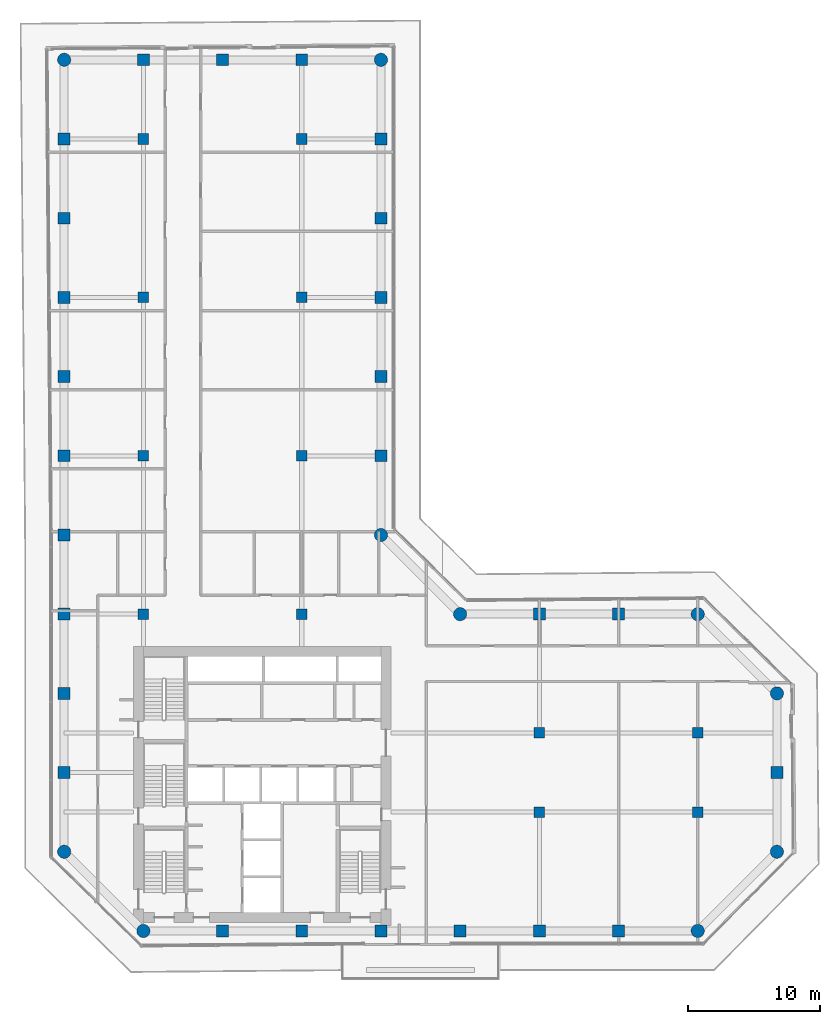
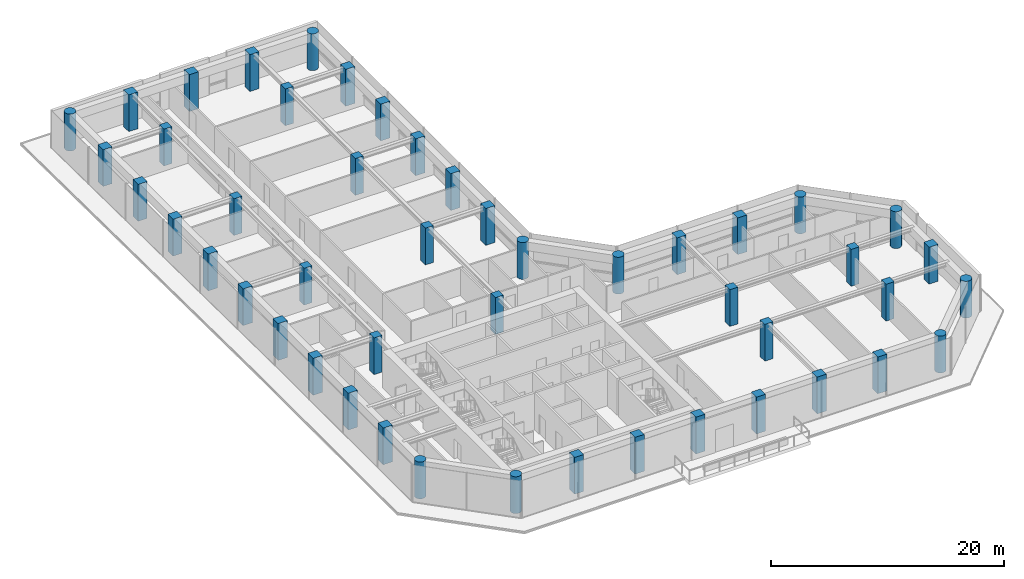
# One storey, part 1 of 21: 48 columns.
"""IFC4 building model written with IfcOpenShell, lengths in metres."""

from ifc_helpers import new_model, si_unit, direction, frame, origin, origin_2d, place, context, subcontext, project, spatial, rectangle, circle, extrude, material, material_profile, profile_set, type_object, element, save


model = new_model("IFC4")

# Units and contexts
model_context = context("Model", 3, precision=1e-05, world=origin(), true_north=direction((0.0, 1.0)))
body_context = subcontext(model_context, "Body", "Model", "MODEL_VIEW")
ifc_project = project(units=[si_unit("LENGTHUNIT", "METRE"), si_unit("AREAUNIT", "SQUARE_METRE"), si_unit("VOLUMEUNIT", "CUBIC_METRE"), si_unit("PLANEANGLEUNIT", "RADIAN"), si_unit("MASSUNIT", "GRAM", prefix="KILO")], contexts=[model_context])

# Site, building, storey
site_placement = place(None, origin())
site = spatial("IfcSite", under=ifc_project, at=site_placement, CompositionType="ELEMENT")
building_placement = place(site_placement, origin())
building = spatial("IfcBuilding", under=site, at=building_placement, Name="Welwitschia Terrace Campus", CompositionType="ELEMENT")
storey_placement = place(building_placement, frame((0.0, 0.0, 108.800048828125)))
storey = spatial("IfcBuildingStorey", under=building, at=storey_placement, Name="L24", CompositionType="ELEMENT", Elevation=108.800048828125)

# Columns
ifc_material_1 = material(Name="Concrete C60/75", Category="concrete")
ifc_material_profile_1 = material_profile(ifc_material_1, circle(Radius=0.5, at=origin_2d()))
ifc_profile_set_1 = profile_set([ifc_material_profile_1], Name="Concrete C60/75")
column_type_1 = type_object("IfcColumnType", Name="Corner column 1000 dia", PredefinedType="COLUMN", material=ifc_profile_set_1)
for number, where, z_axis, x_axis, name in (
    (1, (0.0, 10.0, 0.0), (0.0, 0.0, 1.0), (1.0, 0.0, 0.0), "Column C15"),
    (2, (0.0, 70.0, 0.0), (0.0, 0.0, 1.0), (1.0, 0.0, 0.0), "Column C15"),
    (3, (6.0, 4.0, 0.0), (0.0, 0.0, 1.0), (1.0, 0.0, 0.0), "Column C15"),
    (4, (24.0, 34.0, 0.0), (0.0, 0.0, 1.0), (1.0, 0.0, 0.0), "Column C15"),
    (5, (24.0, 70.0, 0.0), (0.0, 0.0, 1.0), (1.0, 0.0, 0.0), "Column C15"),
    (6, (30.0, 28.0, 0.0), (0.0, 0.0, 1.0), (1.0, 0.0, 0.0), "Column C15"),
    (7, (48.0, 4.0, 0.0), (0.0, 0.0, 1.0), (1.0, 0.0, 0.0), "Column C15"),
    (8, (48.0, 28.0, 0.0), (0.0, 0.0, 1.0), (1.0, 0.0, 0.0), "Column C15"),
    (9, (54.0, 10.0, 0.0), (0.0, 0.0, 1.0), (1.0, 0.0, 0.0), "Column C15"),
    (10, (54.0, 22.0, 0.0), (0.0, 0.0, 1.0), (1.0, 0.0, 0.0), "Column C15"),
):
    element("IfcColumn", number, at=place(storey_placement, frame(where, z_axis=z_axis, x_axis=x_axis)), inside=storey, type_object=column_type_1, Name=name, PredefinedType="COLUMN", context=body_context, shape_type="SweptSolid", body=[
        extrude(circle(Radius=0.5, at=origin_2d()), origin(), (0.0, 0.0, 1.0), 3.849853515625),
    ])
ifc_material_2 = material(Name="Concrete C60/75", Category="concrete")
ifc_material_profile_2 = material_profile(ifc_material_2, rectangle(XDim=0.800048828125, YDim=0.800048828125, at=origin_2d()))
ifc_profile_set_2 = profile_set([ifc_material_profile_2], Name="Concrete C60/75")
column_type_2 = type_object("IfcColumnType", Name="Interior column 800x800", PredefinedType="COLUMN", material=ifc_profile_set_2)
for number, where, z_axis, x_axis, name in (
    (11, (6.0, 28.0, 0.0), (0.0, 0.0, 1.0), (1.0, 0.0, 0.0), "Column C16"),
    (12, (6.0, 40.0, 0.0), (0.0, 0.0, 1.0), (1.0, 0.0, 0.0), "Column C16"),
    (13, (6.0, 52.0, 0.0), (0.0, 0.0, 1.0), (1.0, 0.0, 0.0), "Column C16"),
    (14, (6.0, 64.0, 0.0), (0.0, 0.0, 1.0), (1.0, 0.0, 0.0), "Column C16"),
    (15, (18.0, 28.0, 0.0), (0.0, 0.0, 1.0), (1.0, 0.0, 0.0), "Column C16"),
    (16, (18.0, 40.0, 0.0), (0.0, 0.0, 1.0), (1.0, 0.0, 0.0), "Column C16"),
    (17, (18.0, 52.0, 0.0), (0.0, 0.0, 1.0), (1.0, 0.0, 0.0), "Column C16"),
    (18, (18.0, 64.0, 0.0), (0.0, 0.0, 1.0), (1.0, 0.0, 0.0), "Column C16"),
    (19, (36.0, 13.0, 0.0), (0.0, 0.0, 1.0), (1.0, 0.0, 0.0), "Column C16"),
    (20, (36.0, 19.0, 0.0), (0.0, 0.0, 1.0), (1.0, 0.0, 0.0), "Column C16"),
    (21, (48.0, 13.0, 0.0), (0.0, 0.0, 1.0), (1.0, 0.0, 0.0), "Column C16"),
    (22, (48.0, 19.0, 0.0), (0.0, 0.0, 1.0), (1.0, 0.0, 0.0), "Column C16"),
):
    element("IfcColumn", number, at=place(storey_placement, frame(where, z_axis=z_axis, x_axis=x_axis)), inside=storey, type_object=column_type_2, Name=name, PredefinedType="COLUMN", context=body_context, shape_type="SweptSolid", body=[
        extrude(rectangle(XDim=0.800048828125, YDim=0.800048828125, at=origin_2d()), origin(), (0.0, 0.0, 1.0), 3.849853515625),
    ])
ifc_material_3 = material(Name="Concrete C60/75", Category="concrete")
ifc_material_profile_3 = material_profile(ifc_material_3, rectangle(XDim=0.89990234375, YDim=0.89990234375, at=origin_2d()))
ifc_profile_set_3 = profile_set([ifc_material_profile_3], Name="Concrete C60/75")
column_type_3 = type_object("IfcColumnType", Name="Ring column 900x900", PredefinedType="COLUMN", material=ifc_profile_set_3)
for number, where, z_axis, x_axis, name in (
    (23, (0.0, 16.0, 0.0), (0.0, 0.0, 1.0), (1.0, 0.0, 0.0), "Column C14"),
    (24, (0.0, 22.0, 0.0), (0.0, 0.0, 1.0), (1.0, 0.0, 0.0), "Column C14"),
    (25, (0.0, 28.0, 0.0), (0.0, 0.0, 1.0), (1.0, 0.0, 0.0), "Column C14"),
    (26, (0.0, 34.0, 0.0), (0.0, 0.0, 1.0), (1.0, 0.0, 0.0), "Column C14"),
    (27, (0.0, 40.0, 0.0), (0.0, 0.0, 1.0), (1.0, 0.0, 0.0), "Column C14"),
    (28, (0.0, 46.0, 0.0), (0.0, 0.0, 1.0), (1.0, 0.0, 0.0), "Column C14"),
    (29, (0.0, 52.0, 0.0), (0.0, 0.0, 1.0), (1.0, 0.0, 0.0), "Column C14"),
    (30, (0.0, 58.0, 0.0), (0.0, 0.0, 1.0), (1.0, 0.0, 0.0), "Column C14"),
    (31, (0.0, 64.0, 0.0), (0.0, 0.0, 1.0), (1.0, 0.0, 0.0), "Column C14"),
    (32, (6.0, 70.0, 0.0), (0.0, 0.0, 1.0), (1.0, 0.0, 0.0), "Column C14"),
    (33, (12.0, 4.0, 0.0), (0.0, 0.0, 1.0), (1.0, 0.0, 0.0), "Column C14"),
    (34, (12.0, 70.0, 0.0), (0.0, 0.0, 1.0), (1.0, 0.0, 0.0), "Column C14"),
    (35, (18.0, 4.0, 0.0), (0.0, 0.0, 1.0), (1.0, 0.0, 0.0), "Column C14"),
    (36, (18.0, 70.0, 0.0), (0.0, 0.0, 1.0), (1.0, 0.0, 0.0), "Column C14"),
    (37, (24.0, 4.0, 0.0), (0.0, 0.0, 1.0), (1.0, 0.0, 0.0), "Column C14"),
    (38, (24.0, 40.0, 0.0), (0.0, 0.0, 1.0), (1.0, 0.0, 0.0), "Column C14"),
    (39, (24.0, 46.0, 0.0), (0.0, 0.0, 1.0), (1.0, 0.0, 0.0), "Column C14"),
    (40, (24.0, 52.0, 0.0), (0.0, 0.0, 1.0), (1.0, 0.0, 0.0), "Column C14"),
    (41, (24.0, 58.0, 0.0), (0.0, 0.0, 1.0), (1.0, 0.0, 0.0), "Column C14"),
    (42, (24.0, 64.0, 0.0), (0.0, 0.0, 1.0), (1.0, 0.0, 0.0), "Column C14"),
    (43, (30.0, 4.0, 0.0), (0.0, 0.0, 1.0), (1.0, 0.0, 0.0), "Column C14"),
    (44, (36.0, 4.0, 0.0), (0.0, 0.0, 1.0), (1.0, 0.0, 0.0), "Column C14"),
    (45, (36.0, 28.0, 0.0), (0.0, 0.0, 1.0), (1.0, 0.0, 0.0), "Column C14"),
    (46, (42.0, 4.0, 0.0), (0.0, 0.0, 1.0), (1.0, 0.0, 0.0), "Column C14"),
    (47, (42.0, 28.0, 0.0), (0.0, 0.0, 1.0), (1.0, 0.0, 0.0), "Column C14"),
    (48, (54.0, 16.0, 0.0), (0.0, 0.0, 1.0), (1.0, 0.0, 0.0), "Column C14"),
):
    element("IfcColumn", number, at=place(storey_placement, frame(where, z_axis=z_axis, x_axis=x_axis)), inside=storey, type_object=column_type_3, Name=name, PredefinedType="COLUMN", context=body_context, shape_type="SweptSolid", body=[
        extrude(rectangle(XDim=0.89990234375, YDim=0.89990234375, at=origin_2d()), origin(), (0.0, 0.0, 1.0), 3.849853515625),
    ])

save(model, "model.ifc")
